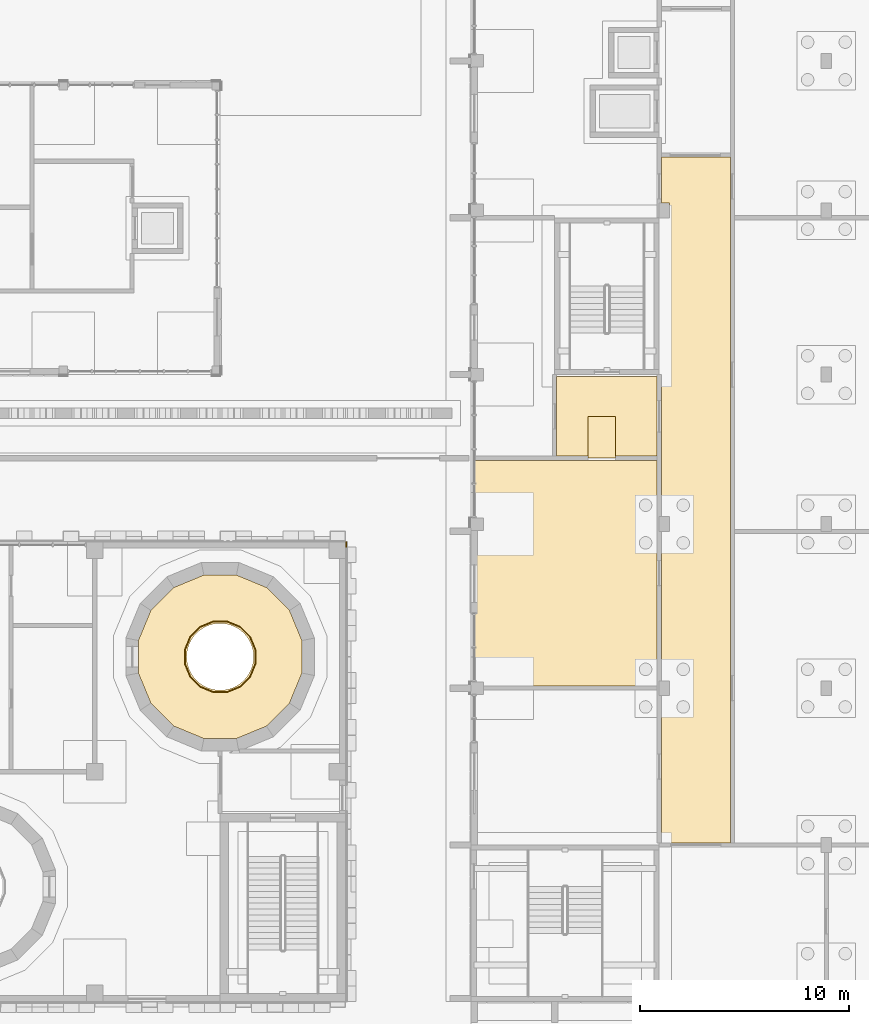
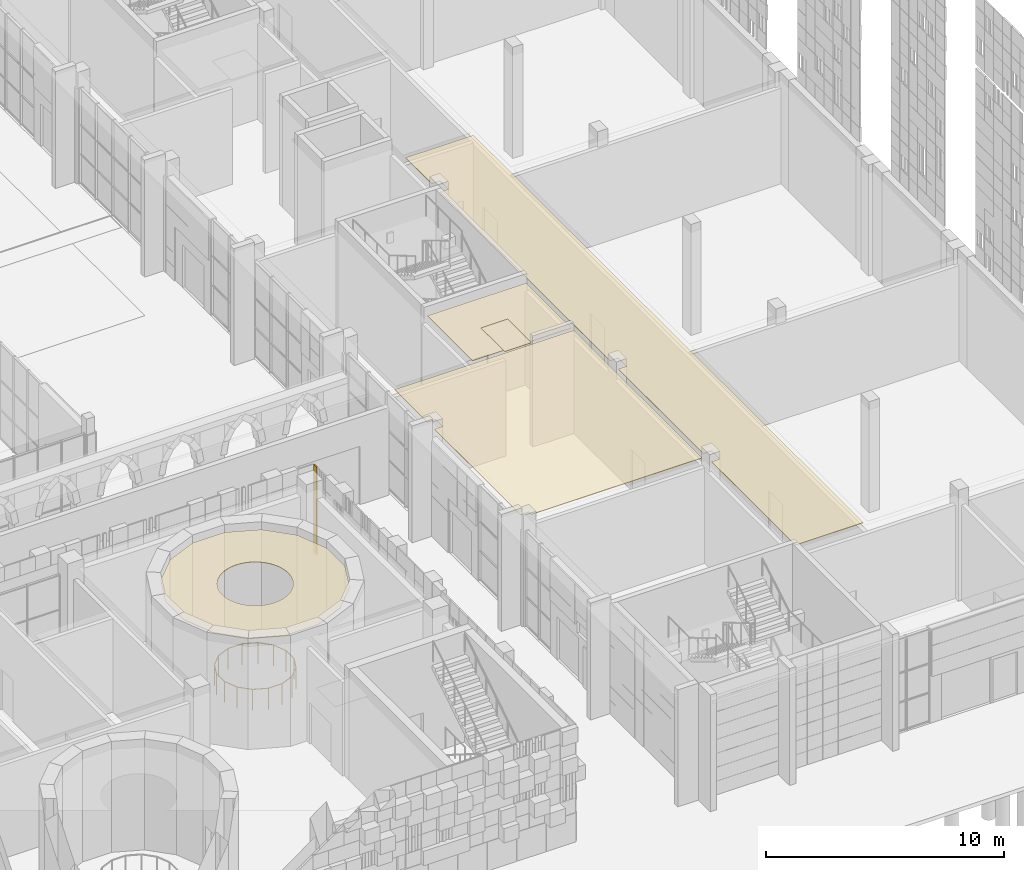
# One storey, part 103 of 125: 6 coverings, 1 railing.
"""IFC4 building model written with IfcOpenShell, lengths in metres."""

from ifc_helpers import new_model, si_unit, direction, frame, origin, origin_2d, place, context, subcontext, project, spatial, polyline, rectangle, circle, outline, extrude, material, layer, layer_set, type_object, element, save


model = new_model("IFC4")

# Units and contexts
model_context = context("Model", 3, precision=1e-05, world=origin(), true_north=direction((0.0, 1.0)))
body_context = subcontext(model_context, "Body", "Model", "MODEL_VIEW")
ifc_project = project(units=[si_unit("LENGTHUNIT", "METRE"), si_unit("AREAUNIT", "SQUARE_METRE"), si_unit("VOLUMEUNIT", "CUBIC_METRE"), si_unit("PLANEANGLEUNIT", "RADIAN"), si_unit("MASSUNIT", "GRAM", prefix="KILO")], contexts=[model_context])

# Site, building, storey
site_placement = place(None, origin())
site = spatial("IfcSite", under=ifc_project, at=site_placement, CompositionType="ELEMENT")
building_placement = place(site_placement, origin())
building = spatial("IfcBuilding", under=site, at=building_placement, Name="Sun Court Science Centre", CompositionType="ELEMENT")
storey_placement = place(building_placement, origin())
storey = spatial("IfcBuildingStorey", under=building, at=storey_placement, Name="L00", CompositionType="ELEMENT", Elevation=0.0)

# Coverings
ifc_material_1 = material(Name="Gypsum board")
ifc_layer_1 = layer(ifc_material_1, 0.030029296875)
ifc_layer_set_1 = layer_set([ifc_layer_1], Name="Gypsum board")
covering_type_1 = type_object("IfcCoveringType", Name="Ceiling suspended 600 module", PredefinedType="CEILING", material=ifc_layer_set_1)
covering_1_placement = place(storey_placement, frame((0.0, 0.0, 5.27001953125)))
element("IfcCovering", 1, at=covering_1_placement, inside=storey, type_object=covering_type_1, Name="L00-006 ceiling", PredefinedType="CEILING", context=body_context, shape_type="SweptSolid", body=[
    extrude(outline(polyline([(69.316162109375, 20.2841796875), (68.2158203125, 19.183837890625), (66.778076171875, 18.58837890625), (65.221923828125, 18.58837890625), (63.7841796875, 19.183837890625), (62.683837890625, 20.2841796875), (62.08837890625, 21.721923828125), (62.08837890625, 23.278076171875), (62.683837890625, 24.7158203125), (63.7841796875, 25.816162109375), (65.221923828125, 26.41162109375), (66.778076171875, 26.41162109375), (68.2158203125, 25.816162109375), (69.316162109375, 24.7158203125), (69.91162109375, 23.278076171875), (69.91162109375, 21.721923828125), (69.316162109375, 20.2841796875)]), holes=[polyline([(67.478271484375, 23.1123046875), (67.385498046875, 23.300048828125), (67.269287109375, 23.47412109375), (67.13134765625, 23.63134765625), (66.97412109375, 23.769287109375), (66.800048828125, 23.885498046875), (66.6123046875, 23.978271484375), (66.4140625, 24.04541015625), (66.208740234375, 24.086181640625), (66.0, 24.10009765625), (65.791259765625, 24.086181640625), (65.5859375, 24.04541015625), (65.3876953125, 23.978271484375), (65.199951171875, 23.885498046875), (65.02587890625, 23.769287109375), (64.86865234375, 23.63134765625), (64.730712890625, 23.47412109375), (64.614501953125, 23.300048828125), (64.521728515625, 23.1123046875), (64.45458984375, 22.9140625), (64.413818359375, 22.708740234375), (64.39990234375, 22.5), (64.413818359375, 22.291259765625), (64.45458984375, 22.0859375), (64.521728515625, 21.8876953125), (64.614501953125, 21.699951171875), (64.730712890625, 21.52587890625), (64.86865234375, 21.36865234375), (65.02587890625, 21.230712890625), (65.199951171875, 21.114501953125), (65.3876953125, 21.021728515625), (65.5859375, 20.95458984375), (65.791259765625, 20.913818359375), (66.0, 20.89990234375), (66.208740234375, 20.913818359375), (66.4140625, 20.95458984375), (66.6123046875, 21.021728515625), (66.800048828125, 21.114501953125), (66.97412109375, 21.230712890625), (67.13134765625, 21.36865234375), (67.269287109375, 21.52587890625), (67.385498046875, 21.699951171875), (67.478271484375, 21.8876953125), (67.54541015625, 22.0859375), (67.586181640625, 22.291259765625), (67.60009765625, 22.5), (67.586181640625, 22.708740234375), (67.54541015625, 22.9140625), (67.478271484375, 23.1123046875)])]), origin(), (0.0, 0.0, 1.0), 0.030029296875),
])
covering_2_placement = place(storey_placement, frame((0.0, 0.0, 5.27001953125)))
element("IfcCovering", 2, at=covering_2_placement, inside=storey, type_object=covering_type_1, Name="L00-037 ceiling", PredefinedType="CEILING", context=body_context, shape_type="SweptSolid", body=[
    extrude(outline(polyline([(87.10009765625, 44.199951171875), (87.10009765625, 46.39990234375), (90.39990234375, 46.39990234375), (90.39990234375, 13.60009765625), (87.10009765625, 13.60009765625), (87.10009765625, 20.64990234375), (87.5, 20.64990234375), (87.5, 21.35009765625), (87.10009765625, 21.35009765625), (87.10009765625, 28.5), (87.5, 28.5), (87.5, 29.199951171875), (87.10009765625, 29.199951171875), (87.10009765625, 43.5), (87.5, 43.5), (87.5, 44.199951171875), (87.10009765625, 44.199951171875)])), origin(), (0.0, 0.0, 1.0), 0.030029296875),
])
covering_3_placement = place(storey_placement, frame((0.0, 0.0, 5.27001953125)))
element("IfcCovering", 3, at=covering_3_placement, inside=storey, type_object=covering_type_1, Name="L00-040 ceiling", PredefinedType="CEILING", context=body_context, shape_type="SweptSolid", body=[
    extrude(outline(polyline([(84.89990234375, 34.0), (83.60009765625, 34.0), (83.60009765625, 32.10009765625), (82.10009765625, 32.10009765625), (82.10009765625, 35.89990234375), (86.89990234375, 35.89990234375), (86.89990234375, 32.10009765625), (84.89990234375, 32.10009765625), (84.89990234375, 34.0)])), origin(), (0.0, 0.0, 1.0), 0.030029296875),
])
covering_4_placement = place(storey_placement, frame((0.0, 0.0, 5.27001953125)))
element("IfcCovering", 4, at=covering_4_placement, inside=storey, type_object=covering_type_1, Name="L00-046 ceiling", PredefinedType="CEILING", context=body_context, shape_type="SweptSolid", body=[
    extrude(outline(polyline([(78.199951171875, 31.89990234375), (86.89990234375, 31.89990234375), (86.89990234375, 21.10009765625), (78.60009765625, 21.10009765625), (78.60009765625, 21.300048828125), (78.199951171875, 21.300048828125), (78.199951171875, 28.550048828125), (78.60009765625, 28.550048828125), (78.60009765625, 29.14990234375), (78.199951171875, 29.14990234375), (78.199951171875, 31.89990234375)])), origin(), (0.0, 0.0, 1.0), 0.030029296875),
])
covering_5_placement = place(storey_placement, frame((0.0, 0.0, 5.27001953125)))
element("IfcCovering", 5, at=covering_5_placement, inside=storey, type_object=covering_type_1, Name="L00-058 ceiling", PredefinedType="CEILING", context=body_context, shape_type="SweptSolid", body=[
    extrude(outline(polyline([(84.89990234375, 34.0), (84.89990234375, 32.0), (83.60009765625, 32.0), (83.60009765625, 34.0), (84.89990234375, 34.0)])), origin(), (0.0, 0.0, 1.0), 0.030029296875),
])

# Railing
ifc_material_2 = material(Name="Steel S275", Category="steel")
railing_type = type_object("IfcRailingType", Name="Guard 1100 well balustrade", PredefinedType="GUARDRAIL", material=ifc_material_2)
railing_placement = place(storey_placement, frame((67.68701171875, 22.83544921875, 0.0)))
element("IfcRailing", 6, at=railing_placement, inside=storey, type_object=railing_type, Name="C6 well guard L00", PredefinedType="GUARDRAIL", context=body_context, shape_type="SweptSolid", body=[
    extrude(circle(Radius=0.02392578125, at=origin_2d()), frame((0.0, 0.0, 1.076171875), z_axis=(-0.382651625058, 0.923892706888, 0.0), x_axis=(-0.923892706888, -0.382651625058, 0.0)), (0.0, 0.0, 1.0), 0.671142578125),
    extrude(circle(Radius=0.02392578125, at=origin_2d()), frame((-0.2568359375, 0.6201171875, 1.076171875), z_axis=(-0.707106781187, 0.707106781187, 0.0), x_axis=(-0.707106781187, -0.707106781187, 0.0)), (0.0, 0.0, 1.0), 0.671142578125),
    extrude(circle(Radius=0.02392578125, at=origin_2d()), frame((-0.7314453125, 1.0947265625, 1.076171875), z_axis=(-0.923892706888, 0.382651625058, 0.0), x_axis=(-0.382651625058, -0.923892706888, 0.0)), (0.0, 0.0, 1.0), 0.671142578125),
    extrude(circle(Radius=0.02392578125, at=origin_2d()), frame((-1.3515625, 1.3515625, 1.076171875), z_axis=(-1.0, 0.0, 0.0), x_axis=(0.0, -1.0, 0.0)), (0.0, 0.0, 1.0), 0.6708984375),
    extrude(circle(Radius=0.02392578125, at=origin_2d()), frame((-2.0224609375, 1.3515625, 1.076171875), z_axis=(-0.923892706888, -0.382651625058, 0.0), x_axis=(0.382651625058, -0.923892706888, 0.0)), (0.0, 0.0, 1.0), 0.671142578125),
    extrude(circle(Radius=0.02392578125, at=origin_2d()), frame((-2.642578125, 1.0947265625, 1.076171875), z_axis=(-0.707106781187, -0.707106781187, 0.0), x_axis=(0.707106781187, -0.707106781187, 0.0)), (0.0, 0.0, 1.0), 0.671142578125),
    extrude(circle(Radius=0.02392578125, at=origin_2d()), frame((-3.1171875, 0.6201171875, 1.076171875), z_axis=(-0.382651625058, -0.923892706888, 0.0), x_axis=(0.923892706888, -0.382651625058, 0.0)), (0.0, 0.0, 1.0), 0.671142578125),
    extrude(circle(Radius=0.02392578125, at=origin_2d()), frame((-3.3740234375, 0.0, 1.076171875), z_axis=(0.0, -1.0, 0.0), x_axis=(1.0, 0.0, 0.0)), (0.0, 0.0, 1.0), 0.6708984375),
    extrude(circle(Radius=0.02392578125, at=origin_2d()), frame((-3.3740234375, -0.6708984375, 1.076171875), z_axis=(0.382651625058, -0.923892706888, 0.0), x_axis=(0.923892706888, 0.382651625058, 0.0)), (0.0, 0.0, 1.0), 0.671142578125),
    extrude(circle(Radius=0.02392578125, at=origin_2d()), frame((-3.1171875, -1.291015625, 1.076171875), z_axis=(0.707106781187, -0.707106781187, 0.0), x_axis=(0.707106781187, 0.707106781187, 0.0)), (0.0, 0.0, 1.0), 0.671142578125),
    extrude(circle(Radius=0.02392578125, at=origin_2d()), frame((-2.642578125, -1.765625, 1.076171875), z_axis=(0.923892706888, -0.382651625058, 0.0), x_axis=(0.382651625058, 0.923892706888, 0.0)), (0.0, 0.0, 1.0), 0.671142578125),
    extrude(circle(Radius=0.02392578125, at=origin_2d()), frame((-2.0224609375, -2.0224609375, 1.076171875), z_axis=(1.0, 0.0, 0.0), x_axis=(0.0, 1.0, 0.0)), (0.0, 0.0, 1.0), 0.6708984375),
    extrude(circle(Radius=0.02392578125, at=origin_2d()), frame((-1.3515625, -2.0224609375, 1.076171875), z_axis=(0.923892706888, 0.382651625058, 0.0), x_axis=(-0.382651625058, 0.923892706888, 0.0)), (0.0, 0.0, 1.0), 0.671142578125),
    extrude(circle(Radius=0.02392578125, at=origin_2d()), frame((-0.7314453125, -1.765625, 1.076171875), z_axis=(0.707106781187, 0.707106781187, 0.0), x_axis=(-0.707106781187, 0.707106781187, 0.0)), (0.0, 0.0, 1.0), 0.671142578125),
    extrude(circle(Radius=0.02392578125, at=origin_2d()), frame((-0.2568359375, -1.291015625, 1.076171875), z_axis=(0.382651625058, 0.923892706888, 0.0), x_axis=(-0.923892706888, 0.382651625058, 0.0)), (0.0, 0.0, 1.0), 0.671142578125),
    extrude(circle(Radius=0.02392578125, at=origin_2d()), frame((0.0, -0.6708984375, 1.076171875), z_axis=(0.0, 1.0, 0.0), x_axis=(-1.0, 0.0, 0.0)), (0.0, 0.0, 1.0), 0.6708984375),
    extrude(circle(Radius=0.02099609375, at=origin_2d()), origin(), (0.0, 0.0, 1.0), 1.052001953125),
    extrude(circle(Radius=0.02099609375, at=origin_2d()), frame((-0.2568359375, 0.6201171875, 0.0)), (0.0, 0.0, 1.0), 1.052001953125),
    extrude(circle(Radius=0.02099609375, at=origin_2d()), frame((-0.7314453125, 1.0947265625, 0.0)), (0.0, 0.0, 1.0), 1.052001953125),
    extrude(circle(Radius=0.02099609375, at=origin_2d()), frame((-1.3515625, 1.3515625, 0.0)), (0.0, 0.0, 1.0), 1.052001953125),
    extrude(circle(Radius=0.02099609375, at=origin_2d()), frame((-2.0224609375, 1.3515625, 0.0)), (0.0, 0.0, 1.0), 1.052001953125),
    extrude(circle(Radius=0.02099609375, at=origin_2d()), frame((-2.642578125, 1.0947265625, 0.0)), (0.0, 0.0, 1.0), 1.052001953125),
    extrude(circle(Radius=0.02099609375, at=origin_2d()), frame((-3.1171875, 0.6201171875, 0.0)), (0.0, 0.0, 1.0), 1.052001953125),
    extrude(circle(Radius=0.02099609375, at=origin_2d()), frame((-3.3740234375, 0.0, 0.0)), (0.0, 0.0, 1.0), 1.052001953125),
    extrude(circle(Radius=0.02099609375, at=origin_2d()), frame((-3.3740234375, -0.6708984375, 0.0)), (0.0, 0.0, 1.0), 1.052001953125),
    extrude(circle(Radius=0.02099609375, at=origin_2d()), frame((-3.1171875, -1.291015625, 0.0)), (0.0, 0.0, 1.0), 1.052001953125),
    extrude(circle(Radius=0.02099609375, at=origin_2d()), frame((-2.642578125, -1.765625, 0.0)), (0.0, 0.0, 1.0), 1.052001953125),
    extrude(circle(Radius=0.02099609375, at=origin_2d()), frame((-2.0224609375, -2.0224609375, 0.0)), (0.0, 0.0, 1.0), 1.052001953125),
    extrude(circle(Radius=0.02099609375, at=origin_2d()), frame((-1.3515625, -2.0224609375, 0.0)), (0.0, 0.0, 1.0), 1.052001953125),
    extrude(circle(Radius=0.02099609375, at=origin_2d()), frame((-0.7314453125, -1.765625, 0.0)), (0.0, 0.0, 1.0), 1.052001953125),
    extrude(circle(Radius=0.02099609375, at=origin_2d()), frame((-0.2568359375, -1.291015625, 0.0)), (0.0, 0.0, 1.0), 1.052001953125),
    extrude(circle(Radius=0.02099609375, at=origin_2d()), frame((0.0, -0.6708984375, 0.0)), (0.0, 0.0, 1.0), 1.052001953125),
])

# Covering
ifc_material_3 = material(Name="Red sandstone", Category="masonry")
ifc_layer_2 = layer(ifc_material_3, 0.080078125)
ifc_layer_set_2 = layer_set([ifc_layer_2], Name="Red sandstone")
covering_type_2 = type_object("IfcCoveringType", Name="Red sandstone corner closer", PredefinedType="CLADDING", material=ifc_layer_set_2)
covering_6_placement = place(storey_placement, origin())
element("IfcCovering", 7, at=covering_6_placement, inside=storey, type_object=covering_type_2, Name="Sandstone corner closer east face L00", PredefinedType="CLADDING", context=body_context, shape_type="SweptSolid", body=[
    extrude(rectangle(XDim=0.25, YDim=0.06005859375, at=origin_2d()), frame((72.030029296875, 27.875, 1.5), z_axis=(0.0, 0.0, 1.0), x_axis=(0.0, -1.0, 0.0)), (0.0, 0.0, 1.0), 4.5),
])

save(model, "model.ifc")
